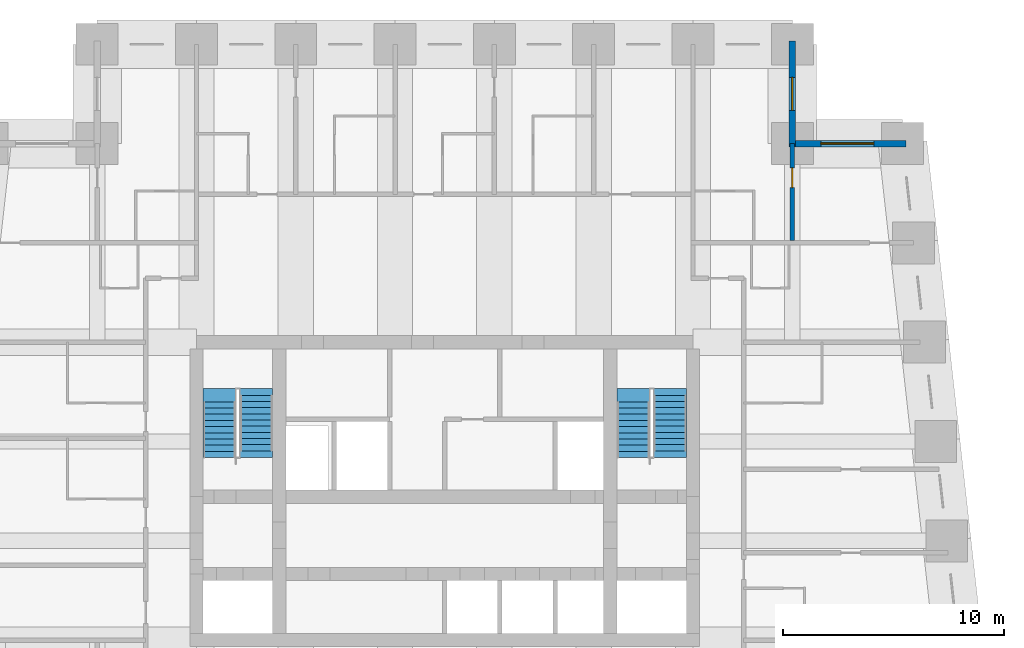
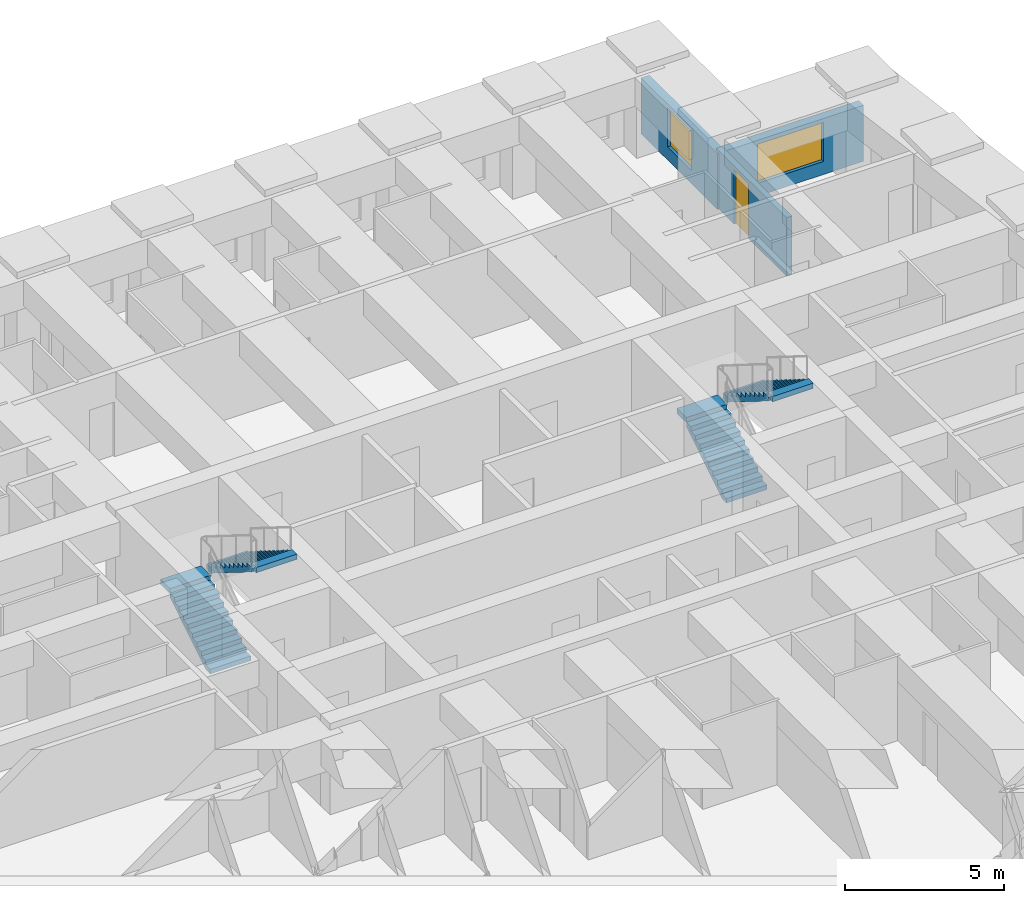
# One storey, part 7 of 8: 4 stair flights, 3 walls, 2 windows, 1 door, 3 openings, 2 elements without a shape of their own.
"""IFC4 building model written with IfcOpenShell, lengths in metres."""

from ifc_helpers import new_model, si_unit, direction, frame, frame_2d, origin, place, context, subcontext, project, spatial, polyline, rectangle, outline, extrude, material, layer, layer_set, type_object, element, fill, aggregate, save


model = new_model("IFC4")

# Units and contexts
model_context = context("Model", 3, precision=1e-05, world=origin(), true_north=direction((0.0, 1.0)))
body_context = subcontext(model_context, "Body", "Model", "MODEL_VIEW")
ifc_project = project(units=[si_unit("LENGTHUNIT", "METRE"), si_unit("AREAUNIT", "SQUARE_METRE"), si_unit("VOLUMEUNIT", "CUBIC_METRE"), si_unit("PLANEANGLEUNIT", "RADIAN"), si_unit("MASSUNIT", "GRAM", prefix="KILO")], contexts=[model_context])

# Site, building, storey
site_placement = place(None, origin())
site = spatial("IfcSite", under=ifc_project, at=site_placement, CompositionType="ELEMENT")
building_placement = place(site_placement, origin())
building = spatial("IfcBuilding", under=site, at=building_placement, Name="Kilele Tower Hotel", CompositionType="ELEMENT")
storey_placement = place(building_placement, frame((0.0, 0.0, 135.39990234375)))
storey = spatial("IfcBuildingStorey", under=building, at=storey_placement, Name="L35", CompositionType="ELEMENT", Elevation=135.39990234375)

# Wall, opening, door
ifc_material_1 = material(Name="Blockwork, plastered both sides", Category="masonry")
ifc_layer_1 = layer(ifc_material_1, 0.199951171875)
ifc_layer_set_1 = layer_set([ifc_layer_1], Name="Blockwork, plastered both sides")
wall_type_1 = type_object("IfcWallType", Name="Partition wall 200", PredefinedType="PARTITIONING", material=ifc_layer_set_1)
wall_1_placement = place(storey_placement, frame((40.5, 31.60009765625, 0.0), z_axis=(0.0, 0.0, 1.0), x_axis=(0.0, 1.0, 0.0)))
wall_1 = element("IfcWall", 1, at=wall_1_placement, inside=storey, type_object=wall_type_1, Name="Partition wall 200 L35", PredefinedType="PARTITIONING", context=body_context, shape_type="SweptSolid", body=[
    extrude(rectangle(XDim=4.39990234375, YDim=0.199951171875, at=frame_2d((2.199951171875, 0.0))), origin(), (0.0, 0.0, 1.0), 2.25),
])
opening_1_placement = place(wall_1_placement, frame((2.39990234375, 0.0, 0.0)))
opening_1 = element("IfcOpeningElement", 2, at=opening_1_placement, cuts=wall_1, Name="Opening D3", PredefinedType="OPENING", context=body_context, shape_type="SweptSolid", body=[
    extrude(rectangle(XDim=0.89990234375, YDim=2.10009765625, at=frame_2d((0.449951171875, 1.050048828125))), frame((0.0, 0.10986328125, 0.0), z_axis=(0.0, -1.0, 0.0), x_axis=(1.0, 0.0, 0.0)), (0.0, 0.0, 1.0), 0.219970703125),
])
ifc_material_2 = material(Name="Timber door leaf in hardwood frame", Category="wood")
door_type = type_object("IfcDoorType", Name="Suite internal door 900", OperationType="SINGLE_SWING_LEFT", PredefinedType="DOOR", material=ifc_material_2)
door_placement = place(opening_1_placement, origin())
door = element("IfcDoor", 3, at=door_placement, inside=storey, type_object=door_type, Name="Suite door 3525", OperationType="SINGLE_SWING_RIGHT", OverallHeight=2.10009765625, OverallWidth=0.89990234375, PredefinedType="DOOR", context=body_context, shape_type="SweptSolid", body=[
    extrude(rectangle(XDim=0.89990234375, YDim=2.10009765625, at=frame_2d((0.449951171875, 1.050048828125))), frame((0.0, 0.02490234375, 0.0), z_axis=(0.0, -1.0, 0.0), x_axis=(1.0, 0.0, 0.0)), (0.0, 0.0, 1.0), 0.050048828125),
])
fill(opening_1, door)

# Wall, opening, window
ifc_material_3 = material(Name="Concrete C40/50 precast", Category="concrete")
ifc_layer_2 = layer(ifc_material_3, 0.260009765625, Name="Precast backing", Category="LoadBearing")
ifc_material_4 = material(Name="Reconstituted stone finish", Category="masonry")
ifc_layer_3 = layer(ifc_material_4, 0.0400390625, Name="Face mix", Category="Finish")
ifc_layer_set_2 = layer_set([ifc_layer_2, ifc_layer_3], Name="Precast concrete C40/50, reconstituted stone finish")
wall_type_2 = type_object("IfcWallType", Name="Precast stone facade wall 300", PredefinedType="STANDARD", material=ifc_layer_set_2)
wall_2_placement = place(storey_placement, frame((45.64990234375, 36.0, 0.0), z_axis=(0.0, 0.0, 1.0), x_axis=(-1.0, 0.0, 0.0)))
wall_2 = element("IfcWall", 4, at=wall_2_placement, inside=storey, type_object=wall_type_2, Name="Facade wall L35 edge 7", PredefinedType="STANDARD", context=body_context, shape_type="SweptSolid", body=[
    extrude(rectangle(XDim=5.2998046875, YDim=0.300048828125, at=frame_2d((2.64990234375, 0.0))), origin(), (0.0, 0.0, 1.0), 2.150146484375),
])
opening_2_placement = place(wall_2_placement, frame((1.449951171875, 0.0, 0.5)))
opening_2 = element("IfcOpeningElement", 5, at=opening_2_placement, cuts=wall_2, Name="Opening W2", PredefinedType="OPENING", context=body_context, shape_type="SweptSolid", body=[
    extrude(rectangle(XDim=2.39990234375, YDim=1.5, at=frame_2d((1.199951171875, 0.75))), frame((0.0, 0.159912109375, 0.0), z_axis=(0.0, -1.0, 0.0), x_axis=(1.0, 0.0, 0.0)), (0.0, 0.0, 1.0), 0.320068359375),
])
ifc_material_5 = material(Name="Aluminium frame, clear double glazing", Category="aluminium")
window_type_1 = type_object("IfcWindowType", Name="Window W2 2400 x 1500", PartitioningType="SINGLE_PANEL", PredefinedType="WINDOW", material=ifc_material_5)
window_1_placement = place(opening_2_placement, origin())
window_1 = element("IfcWindow", 6, at=window_1_placement, inside=storey, type_object=window_type_1, Name="Window L35", OverallHeight=1.5, OverallWidth=2.39990234375, PartitioningType="SINGLE_PANEL", PredefinedType="WINDOW", context=body_context, shape_type="SweptSolid", body=[
    extrude(rectangle(XDim=2.39990234375, YDim=1.5, at=frame_2d((1.199951171875, 0.75))), frame((0.0, 0.030029296875, 0.0), z_axis=(0.0, -1.0, 0.0), x_axis=(1.0, 0.0, 0.0)), (0.0, 0.0, 1.0), 0.06005859375),
])
fill(opening_2, window_1)

wall_3_placement = place(storey_placement, frame((40.5, 35.85009765625, 0.0), z_axis=(0.0, 0.0, 1.0), x_axis=(0.0, 1.0, 0.0)))
wall_3 = element("IfcWall", 7, at=wall_3_placement, inside=storey, type_object=wall_type_2, Name="Facade wall L35 edge 8", PredefinedType="STANDARD", context=body_context, shape_type="SweptSolid", body=[
    extrude(rectangle(XDim=4.7998046875, YDim=0.300048828125, at=frame_2d((2.39990234375, 0.0))), origin(), (0.0, 0.0, 1.0), 2.150146484375),
])
opening_3_placement = place(wall_3_placement, frame((1.64990234375, 0.0, 0.5)))
opening_3 = element("IfcOpeningElement", 8, at=opening_3_placement, cuts=wall_3, Name="Opening W2", PredefinedType="OPENING", context=body_context, shape_type="SweptSolid", body=[
    extrude(rectangle(XDim=1.5, YDim=1.5, at=frame_2d((0.75, 0.75))), frame((0.0, 0.159912109375, 0.0), z_axis=(0.0, -1.0, 0.0), x_axis=(1.0, 0.0, 0.0)), (0.0, 0.0, 1.0), 0.320068359375),
])
ifc_material_6 = material(Name="Aluminium frame, clear double glazing", Category="aluminium")
window_type_2 = type_object("IfcWindowType", Name="Window W2 1500 x 1500", PartitioningType="SINGLE_PANEL", PredefinedType="WINDOW", material=ifc_material_6)
window_2_placement = place(opening_3_placement, origin())
window_2 = element("IfcWindow", 9, at=window_2_placement, inside=storey, type_object=window_type_2, Name="Window L35", OverallHeight=1.5, OverallWidth=1.5, PartitioningType="SINGLE_PANEL", PredefinedType="WINDOW", context=body_context, shape_type="SweptSolid", body=[
    extrude(rectangle(XDim=1.5, YDim=1.5, at=frame_2d((0.75, 0.75))), frame((0.0, 0.030029296875, 0.0), z_axis=(0.0, -1.0, 0.0), x_axis=(1.0, 0.0, 0.0)), (0.0, 0.0, 1.0), 0.06005859375),
])
fill(opening_3, window_2)

# Stair, stair flights
ifc_material_7 = material(Name="Precast concrete C40/50", Category="concrete")
stair_type = type_object("IfcStairType", Name="Stair 1475 x 3500", PredefinedType="HALF_TURN_STAIR", material=ifc_material_7)
stair_1_placement = place(storey_placement, origin())
stair_1 = element("IfcStair", 10, at=stair_1_placement, inside=storey, type_object=stair_type, Name="Stair 1 L35", PredefinedType="HALF_TURN_STAIR")
ifc_material_8 = material(Name="Precast concrete C40/50", Category="concrete")
stair_flight_type = type_object("IfcStairFlightType", Name="Flight 1475 riser 175.0", PredefinedType="STRAIGHT", material=ifc_material_8)
stair_flight_1_placement = place(storey_placement, frame((14.53759765625, 21.77490234375, 0.0), z_axis=(0.0, 0.0, 1.0), x_axis=(0.0, 1.0, 0.0)))
stair_flight_1 = element("IfcStairFlight", 11, at=stair_flight_1_placement, type_object=stair_flight_type, Name="ST1 flight 1", NumberOfRisers=10, NumberOfTreads=9, PredefinedType="STRAIGHT", RiserHeight=0.175, TreadLength=0.28, context=body_context, shape_type="SweptSolid", body=[
    extrude(outline(polyline([(0.0, 0.0), (0.0, 0.175048828125), (0.280029296875, 0.175048828125), (0.280029296875, 0.35009765625), (0.56005859375, 0.35009765625), (0.56005859375, 0.52490234375), (0.840087890625, 0.52490234375), (0.840087890625, 0.699951171875), (1.1201171875, 0.699951171875), (1.1201171875, 0.875), (1.39990234375, 0.875), (1.39990234375, 1.050048828125), (1.679931640625, 1.050048828125), (1.679931640625, 1.22509765625), (1.9599609375, 1.22509765625), (1.9599609375, 1.39990234375), (2.239990234375, 1.39990234375), (2.239990234375, 1.574951171875), (2.52001953125, 1.574951171875), (2.52001953125, 1.75), (2.52001953125, 1.398193359375), (0.28271484375, 0.0), (0.0, 0.0)])), frame((0.0, 0.737548828125, 0.0), z_axis=(0.0, -1.0, 0.0), x_axis=(1.0, 0.0, 0.0)), (0.0, 0.0, 1.0), 1.47509765625),
    extrude(outline(polyline([(2.52001953125, 0.737548828125), (2.52001953125, -0.7373046875), (3.1201171875, -0.7373046875), (3.1201171875, 0.737548828125), (2.52001953125, 0.737548828125)])), frame((0.0, 0.0, 1.550048828125)), (0.0, 0.0, 1.0), 0.199951171875),
])
stair_flight_2_placement = place(storey_placement, frame((16.21240234375, 24.594970703125, 1.75), z_axis=(0.0, 0.0, 1.0), x_axis=(0.0, -1.0, 0.0)))
stair_flight_2 = element("IfcStairFlight", 12, at=stair_flight_2_placement, type_object=stair_flight_type, Name="ST1 flight 2", NumberOfRisers=10, NumberOfTreads=9, PredefinedType="STRAIGHT", RiserHeight=0.175, TreadLength=0.28, context=body_context, shape_type="SweptSolid", body=[
    extrude(outline(polyline([(0.0, 0.0), (0.0, 0.175048828125), (0.280029296875, 0.175048828125), (0.280029296875, 0.35009765625), (0.56005859375, 0.35009765625), (0.56005859375, 0.52490234375), (0.840087890625, 0.52490234375), (0.840087890625, 0.699951171875), (1.1201171875, 0.699951171875), (1.1201171875, 0.875), (1.39990234375, 0.875), (1.39990234375, 1.050048828125), (1.679931640625, 1.050048828125), (1.679931640625, 1.22509765625), (1.9599609375, 1.22509765625), (1.9599609375, 1.39990234375), (2.239990234375, 1.39990234375), (2.239990234375, 1.574951171875), (2.52001953125, 1.574951171875), (2.52001953125, 1.75), (2.52001953125, 1.398193359375), (0.28271484375, 0.0), (0.0, 0.0)])), frame((0.0, 0.737548828125, 0.0), z_axis=(0.0, -1.0, 0.0), x_axis=(1.0, 0.0, 0.0)), (0.0, 0.0, 1.0), 1.47509765625),
    extrude(outline(polyline([(0.0, -0.7373046875), (0.0, 0.737548828125), (-0.300048828125, 0.737548828125), (-0.300048828125, -0.7373046875), (0.0, -0.7373046875)])), frame((0.0, 0.0, -0.199951171875)), (0.0, 0.0, 1.0), 0.199951171875),
    extrude(outline(polyline([(2.820068359375, -0.7373046875), (2.820068359375, 0.737548828125), (2.52001953125, 0.737548828125), (2.52001953125, -0.7373046875), (2.820068359375, -0.7373046875)])), frame((0.0, 0.0, 1.550048828125)), (0.0, 0.0, 1.0), 0.199951171875),
])
aggregate(stair_1, [stair_flight_1, stair_flight_2])

stair_2_placement = place(storey_placement, origin())
stair_2 = element("IfcStair", 13, at=stair_2_placement, inside=storey, type_object=stair_type, Name="Stair 2 L35", PredefinedType="HALF_TURN_STAIR")
stair_flight_3_placement = place(storey_placement, frame((33.28759765625, 21.77490234375, 0.0), z_axis=(0.0, 0.0, 1.0), x_axis=(0.0, 1.0, 0.0)))
stair_flight_3 = element("IfcStairFlight", 14, at=stair_flight_3_placement, type_object=stair_flight_type, Name="ST2 flight 1", NumberOfRisers=10, NumberOfTreads=9, PredefinedType="STRAIGHT", RiserHeight=0.175, TreadLength=0.28, context=body_context, shape_type="SweptSolid", body=[
    extrude(outline(polyline([(0.0, 0.0), (0.0, 0.175048828125), (0.280029296875, 0.175048828125), (0.280029296875, 0.35009765625), (0.56005859375, 0.35009765625), (0.56005859375, 0.52490234375), (0.840087890625, 0.52490234375), (0.840087890625, 0.699951171875), (1.1201171875, 0.699951171875), (1.1201171875, 0.875), (1.39990234375, 0.875), (1.39990234375, 1.050048828125), (1.679931640625, 1.050048828125), (1.679931640625, 1.22509765625), (1.9599609375, 1.22509765625), (1.9599609375, 1.39990234375), (2.239990234375, 1.39990234375), (2.239990234375, 1.574951171875), (2.52001953125, 1.574951171875), (2.52001953125, 1.75), (2.52001953125, 1.398193359375), (0.28271484375, 0.0), (0.0, 0.0)])), frame((0.0, 0.737548828125, 0.0), z_axis=(0.0, -1.0, 0.0), x_axis=(1.0, 0.0, 0.0)), (0.0, 0.0, 1.0), 1.47509765625),
    extrude(outline(polyline([(2.52001953125, 0.737548828125), (2.52001953125, -0.7373046875), (3.1201171875, -0.7373046875), (3.1201171875, 0.737548828125), (2.52001953125, 0.737548828125)])), frame((0.0, 0.0, 1.550048828125)), (0.0, 0.0, 1.0), 0.199951171875),
])
stair_flight_4_placement = place(storey_placement, frame((34.96240234375, 24.594970703125, 1.75), z_axis=(0.0, 0.0, 1.0), x_axis=(0.0, -1.0, 0.0)))
stair_flight_4 = element("IfcStairFlight", 15, at=stair_flight_4_placement, type_object=stair_flight_type, Name="ST2 flight 2", NumberOfRisers=10, NumberOfTreads=9, PredefinedType="STRAIGHT", RiserHeight=0.175, TreadLength=0.28, context=body_context, shape_type="SweptSolid", body=[
    extrude(outline(polyline([(0.0, 0.0), (0.0, 0.175048828125), (0.280029296875, 0.175048828125), (0.280029296875, 0.35009765625), (0.56005859375, 0.35009765625), (0.56005859375, 0.52490234375), (0.840087890625, 0.52490234375), (0.840087890625, 0.699951171875), (1.1201171875, 0.699951171875), (1.1201171875, 0.875), (1.39990234375, 0.875), (1.39990234375, 1.050048828125), (1.679931640625, 1.050048828125), (1.679931640625, 1.22509765625), (1.9599609375, 1.22509765625), (1.9599609375, 1.39990234375), (2.239990234375, 1.39990234375), (2.239990234375, 1.574951171875), (2.52001953125, 1.574951171875), (2.52001953125, 1.75), (2.52001953125, 1.398193359375), (0.28271484375, 0.0), (0.0, 0.0)])), frame((0.0, 0.737548828125, 0.0), z_axis=(0.0, -1.0, 0.0), x_axis=(1.0, 0.0, 0.0)), (0.0, 0.0, 1.0), 1.47509765625),
    extrude(outline(polyline([(0.0, -0.7373046875), (0.0, 0.737548828125), (-0.300048828125, 0.737548828125), (-0.300048828125, -0.7373046875), (0.0, -0.7373046875)])), frame((0.0, 0.0, -0.199951171875)), (0.0, 0.0, 1.0), 0.199951171875),
    extrude(outline(polyline([(2.820068359375, -0.7373046875), (2.820068359375, 0.737548828125), (2.52001953125, 0.737548828125), (2.52001953125, -0.7373046875), (2.820068359375, -0.7373046875)])), frame((0.0, 0.0, 1.550048828125)), (0.0, 0.0, 1.0), 0.199951171875),
])
aggregate(stair_2, [stair_flight_3, stair_flight_4])

save(model, "model.ifc")
